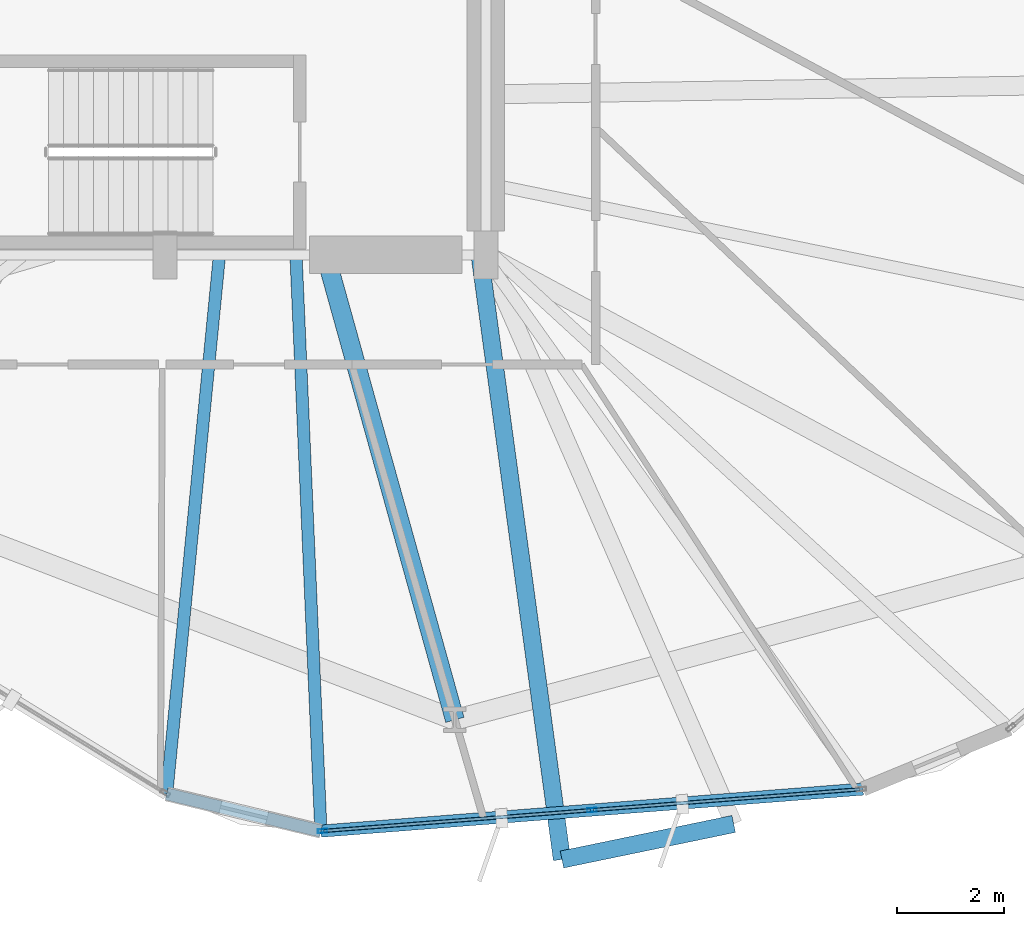
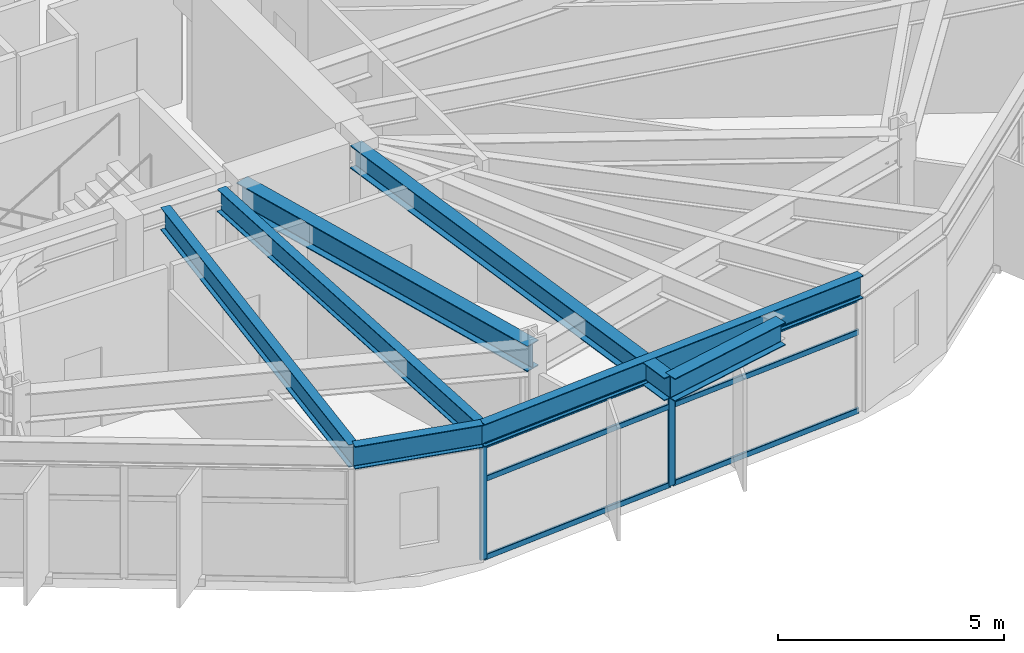
# One storey, part 4 of 22: 8 members, 7 beams, 1 element without a shape of its own.
"""IFC4 building model written with IfcOpenShell, lengths in metres."""

from ifc_helpers import new_model, si_unit, direction, frame, origin, origin_2d, place, context, subcontext, project, spatial, hollow_rectangle, i_section, extrude, material, layer, layer_set, material_profile, profile_set, type_object, element, aggregate, save


model = new_model("IFC4")

# Units and contexts
model_context = context("Model", 3, precision=1e-05, world=origin(), true_north=direction((0.0, 1.0)))
body_context = subcontext(model_context, "Body", "Model", "MODEL_VIEW")
ifc_project = project(units=[si_unit("LENGTHUNIT", "METRE"), si_unit("AREAUNIT", "SQUARE_METRE"), si_unit("VOLUMEUNIT", "CUBIC_METRE"), si_unit("PLANEANGLEUNIT", "RADIAN"), si_unit("MASSUNIT", "GRAM", prefix="KILO")], contexts=[model_context])

# Site, building, storey
site_placement = place(None, origin())
site = spatial("IfcSite", under=ifc_project, at=site_placement, CompositionType="ELEMENT")
building_placement = place(site_placement, origin())
building = spatial("IfcBuilding", under=site, at=building_placement, Name="Soratama Intermodal Tower", CompositionType="ELEMENT")
storey_placement = place(building_placement, frame((0.0, 0.0, 50.60009765625)))
storey = spatial("IfcBuildingStorey", under=building, at=storey_placement, Name="L11", CompositionType="ELEMENT", Elevation=50.60009765625)

# Beams
ifc_material_1 = material(Name="Structural steel ASTM A992 Grade 50", Category="steel")
ifc_material_profile_1 = material_profile(ifc_material_1, i_section(OverallWidth=0.324951171875, OverallDepth=0.615966796875, WebThickness=0.013916015625, FlangeThickness=0.021484375, FilletRadius=0.013916015625, at=origin_2d()), Name="W24X117")
ifc_profile_set_1 = profile_set([ifc_material_profile_1], Name="Structural steel ASTM A992 Grade 50")
beam_type_1 = type_object("IfcBeamType", Name="BM-CANT-W24X117", PredefinedType="BEAM", material=ifc_profile_set_1)
beam_1_placement = place(storey_placement, frame((46.02197265625, 3.695068359375, 3.391845703125), z_axis=(0.979217610027, 0.202812406456, 0.0), x_axis=(-0.202812406456, 0.979217610027, 0.0)))
element("IfcBeam", 1, at=beam_1_placement, inside=storey, type_object=beam_type_1, Name="BM-L11-CBHDR-3", PredefinedType="BEAM", context=body_context, shape_type="SweptSolid", body=[
    extrude(i_section(OverallWidth=0.324951171875, OverallDepth=0.615966796875, WebThickness=0.013916015625, FlangeThickness=0.021484375, FilletRadius=0.013916015625, at=origin_2d()), origin(), (0.0, 0.0, 1.0), 3.279052734375),
])
beam_2_placement = place(storey_placement, frame((44.489013671875, 14.9599609375, 3.391845703125), z_axis=(0.13484008234, -0.990867373665, 0.0), x_axis=(0.990867373665, 0.13484008234, 0.0)))
element("IfcBeam", 2, at=beam_2_placement, inside=storey, type_object=beam_type_1, Name="BM-L11-CANT-3-1", PredefinedType="BEAM", context=body_context, shape_type="SweptSolid", body=[
    extrude(i_section(OverallWidth=0.324951171875, OverallDepth=0.615966796875, WebThickness=0.013916015625, FlangeThickness=0.021484375, FilletRadius=0.013916015625, at=origin_2d()), origin(), (0.0, 0.0, 1.0), 11.36865234375),
])
ifc_material_2 = material(Name="Structural steel ASTM A992 Grade 50", Category="steel")
ifc_material_profile_2 = material_profile(ifc_material_2, i_section(OverallWidth=0.35498046875, OverallDepth=0.695068359375, WebThickness=0.015380859375, FlangeThickness=0.02490234375, FilletRadius=0.01611328125, at=origin_2d()), Name="W27X146")
ifc_profile_set_2 = profile_set([ifc_material_profile_2], Name="Structural steel ASTM A992 Grade 50")
beam_type_2 = type_object("IfcBeamType", Name="BM-RING-W27X146", PredefinedType="BEAM", material=ifc_profile_set_2)
beam_3_placement = place(storey_placement, frame((41.60009765625, 15.0, 3.352294921875), z_axis=(0.26814752121, -0.963377862974, 0.0), x_axis=(0.963377862974, 0.26814752121, 0.0)))
element("IfcBeam", 3, at=beam_3_placement, inside=storey, type_object=beam_type_2, Name="BM-L11-RAD-08", PredefinedType="BEAM", context=body_context, shape_type="SweptSolid", body=[
    extrude(i_section(OverallWidth=0.35498046875, OverallDepth=0.695068359375, WebThickness=0.015380859375, FlangeThickness=0.02490234375, FilletRadius=0.01611328125, at=origin_2d()), origin(), (0.0, 0.0, 1.0), 9.024658203125),
])
ifc_material_3 = material(Name="Structural steel ASTM A992 Grade 50", Category="steel")
ifc_material_profile_3 = material_profile(ifc_material_3, i_section(OverallWidth=0.22900390625, OverallDepth=0.612060546875, WebThickness=0.011962890625, FlangeThickness=0.01953125, FilletRadius=0.012939453125, at=origin_2d()), Name="W24X84")
ifc_profile_set_3 = profile_set([ifc_material_profile_3], Name="Structural steel ASTM A992 Grade 50")
beam_type_3 = type_object("IfcBeamType", Name="BM-SPN-W24X84", PredefinedType="SPANDREL", material=ifc_profile_set_3)
beam_4_placement = place(storey_placement, frame((38.631103515625, 4.9208984375, 3.393798828125), z_axis=(0.972104212083, -0.234549356962, 0.0), x_axis=(0.234549356962, 0.972104212083, 0.0)))
element("IfcBeam", 4, at=beam_4_placement, inside=storey, type_object=beam_type_3, Name="BS-L11-CRN07", PredefinedType="SPANDREL", context=body_context, shape_type="SweptSolid", body=[
    extrude(i_section(OverallWidth=0.22900390625, OverallDepth=0.612060546875, WebThickness=0.011962890625, FlangeThickness=0.01953125, FilletRadius=0.012939453125, at=origin_2d()), origin(), (0.0, 0.0, 1.0), 2.966552734375),
])
beam_5_placement = place(storey_placement, frame((41.514892578125, 4.22509765625, 3.393798828125), z_axis=(0.996999701749, 0.077405392015, 0.0), x_axis=(-0.077405392015, 0.996999701749, 0.0)))
element("IfcBeam", 5, at=beam_5_placement, inside=storey, type_object=beam_type_3, Name="BS-L11-F08", PredefinedType="SPANDREL", context=body_context, shape_type="SweptSolid", body=[
    extrude(i_section(OverallWidth=0.22900390625, OverallDepth=0.612060546875, WebThickness=0.011962890625, FlangeThickness=0.01953125, FilletRadius=0.012939453125, at=origin_2d()), origin(), (0.0, 0.0, 1.0), 10.16552734375),
])
ifc_material_4 = material(Name="Structural steel ASTM A992 Grade 50", Category="steel")
ifc_material_profile_4 = material_profile(ifc_material_4, i_section(OverallWidth=0.22900390625, OverallDepth=0.612060546875, WebThickness=0.011962890625, FlangeThickness=0.01953125, FilletRadius=0.012939453125, at=origin_2d()), Name="W24X84")
ifc_profile_set_4 = profile_set([ifc_material_profile_4], Name="Structural steel ASTM A992 Grade 50")
beam_type_4 = type_object("IfcBeamType", Name="BM-TIE-W24X84", PredefinedType="BEAM", material=ifc_profile_set_4)
beam_6_placement = place(storey_placement, frame((39.614990234375, 14.9599609375, 3.393798828125), z_axis=(-0.097538520288, -0.995231750428, 0.0), x_axis=(0.995231750428, -0.097538520288, 0.0)))
element("IfcBeam", 6, at=beam_6_placement, inside=storey, type_object=beam_type_4, Name="BM-L11-TIE1-07", PredefinedType="BEAM", context=body_context, shape_type="SweptSolid", body=[
    extrude(i_section(OverallWidth=0.22900390625, OverallDepth=0.612060546875, WebThickness=0.011962890625, FlangeThickness=0.01953125, FilletRadius=0.012939453125, at=origin_2d()), origin(), (0.0, 0.0, 1.0), 10.087158203125),
])
beam_7_placement = place(storey_placement, frame((41.051025390625, 14.9599609375, 3.393798828125), z_axis=(0.043170994456, -0.999067698025, 0.0), x_axis=(0.999067698025, 0.043170994456, 0.0)))
element("IfcBeam", 7, at=beam_7_placement, inside=storey, type_object=beam_type_4, Name="BM-L11-TIE0-08", PredefinedType="BEAM", context=body_context, shape_type="SweptSolid", body=[
    extrude(i_section(OverallWidth=0.22900390625, OverallDepth=0.612060546875, WebThickness=0.011962890625, FlangeThickness=0.01953125, FilletRadius=0.012939453125, at=origin_2d()), origin(), (0.0, 0.0, 1.0), 10.744873046875),
])

# Curtain wall, members
ifc_material_5 = material(Name="Double-glazed aluminium curtain wall", Category="aluminium")
ifc_layer = layer(ifc_material_5, 0.159912109375)
ifc_layer_set = layer_set([ifc_layer], Name="Double-glazed aluminium curtain wall")
curtain_wall_type = type_object("IfcCurtainWallType", Name="CW-SYS-2", PredefinedType="NOTDEFINED", material=ifc_layer_set)
curtain_wall_placement = place(storey_placement, origin())
curtain_wall = element("IfcCurtainWall", 8, at=curtain_wall_placement, inside=storey, type_object=curtain_wall_type, Name="L11 Faceted Curtain Wall F08", PredefinedType="NOTDEFINED")
ifc_material_6 = material(Name="Anodised aluminium AA 6063-T6", Category="aluminium")
ifc_material_profile_5 = material_profile(ifc_material_6, hollow_rectangle(XDim=0.074951171875, YDim=0.179931640625, WallThickness=0.006103515625, InnerFilletRadius=0.006103515625, OuterFilletRadius=0.011962890625, at=origin_2d()), Name="CWM180X75X6")
ifc_profile_set_5 = profile_set([ifc_material_profile_5], Name="Anodised aluminium AA 6063-T6")
member_type_1 = type_object("IfcMemberType", Name="MT-CWM-2", PredefinedType="MULLION", material=ifc_profile_set_5)
member_1_placement = place(storey_placement, frame((41.545166015625, 4.2275390625, 0.0), z_axis=(0.0, 0.0, 1.0), x_axis=(-0.077411143297, 0.996999255212, 0.0)))
member_1 = element("IfcMember", 9, at=member_1_placement, type_object=member_type_1, Name="CW-2 mullion 1", PredefinedType="MULLION", context=body_context, shape_type="SweptSolid", body=[
    extrude(hollow_rectangle(XDim=0.074951171875, YDim=0.179931640625, WallThickness=0.006103515625, InnerFilletRadius=0.006103515625, OuterFilletRadius=0.011962890625, at=origin_2d()), origin(), (0.0, 0.0, 1.0), 3.078857421875),
])
member_2_placement = place(storey_placement, frame((46.58251953125, 4.61865234375, 0.0), z_axis=(0.0, 0.0, 1.0), x_axis=(-0.077411143297, 0.996999255212, 0.0)))
member_2 = element("IfcMember", 10, at=member_2_placement, type_object=member_type_1, Name="CW-2 mullion 2", PredefinedType="MULLION", context=body_context, shape_type="SweptSolid", body=[
    extrude(hollow_rectangle(XDim=0.074951171875, YDim=0.179931640625, WallThickness=0.006103515625, InnerFilletRadius=0.006103515625, OuterFilletRadius=0.011962890625, at=origin_2d()), origin(), (0.0, 0.0, 1.0), 3.078857421875),
])
ifc_material_7 = material(Name="Anodised aluminium AA 6063-T6", Category="aluminium")
ifc_material_profile_6 = material_profile(ifc_material_7, hollow_rectangle(XDim=0.06494140625, YDim=0.14990234375, WallThickness=0.0048828125, InnerFilletRadius=0.0048828125, OuterFilletRadius=0.010009765625, at=origin_2d()), Name="CWT150X65X5")
ifc_profile_set_6 = profile_set([ifc_material_profile_6], Name="Anodised aluminium AA 6063-T6")
member_type_2 = type_object("IfcMemberType", Name="TT-CWT-1", PredefinedType="USERDEFINED", material=ifc_profile_set_6)
member_3_placement = place(storey_placement, frame((41.574951171875, 4.229736328125, 0.02978515625), z_axis=(0.996999580664, 0.077406951601, 0.0), x_axis=(-0.077406951601, 0.996999580664, 0.0)))
member_3 = element("IfcMember", 11, at=member_3_placement, type_object=member_type_2, Name="CW-2 transom 1.1", ObjectType="TRANSOM", PredefinedType="USERDEFINED", context=body_context, shape_type="SweptSolid", body=[
    extrude(hollow_rectangle(XDim=0.06494140625, YDim=0.14990234375, WallThickness=0.0048828125, InnerFilletRadius=0.0048828125, OuterFilletRadius=0.010009765625, at=origin_2d()), origin(), (0.0, 0.0, 1.0), 4.99267578125),
])
member_4_placement = place(storey_placement, frame((41.574951171875, 4.229736328125, 2.14990234375), z_axis=(0.996999580664, 0.077406951601, 0.0), x_axis=(-0.077406951601, 0.996999580664, 0.0)))
member_4 = element("IfcMember", 12, at=member_4_placement, type_object=member_type_2, Name="CW-2 transom 1.2", ObjectType="TRANSOM", PredefinedType="USERDEFINED", context=body_context, shape_type="SweptSolid", body=[
    extrude(hollow_rectangle(XDim=0.06494140625, YDim=0.14990234375, WallThickness=0.0048828125, InnerFilletRadius=0.0048828125, OuterFilletRadius=0.010009765625, at=origin_2d()), origin(), (0.0, 0.0, 1.0), 4.99267578125),
])
member_5_placement = place(storey_placement, frame((41.574951171875, 4.229736328125, 3.048828125), z_axis=(0.996999580664, 0.077406951601, 0.0), x_axis=(-0.077406951601, 0.996999580664, 0.0)))
member_5 = element("IfcMember", 13, at=member_5_placement, type_object=member_type_2, Name="CW-2 transom 1.3", ObjectType="TRANSOM", PredefinedType="USERDEFINED", context=body_context, shape_type="SweptSolid", body=[
    extrude(hollow_rectangle(XDim=0.06494140625, YDim=0.14990234375, WallThickness=0.0048828125, InnerFilletRadius=0.0048828125, OuterFilletRadius=0.010009765625, at=origin_2d()), origin(), (0.0, 0.0, 1.0), 4.99267578125),
])
member_6_placement = place(storey_placement, frame((46.612548828125, 4.62109375, 0.02978515625), z_axis=(0.996999287648, 0.077410725542, 0.0), x_axis=(-0.077410725542, 0.996999287648, 0.0)))
member_6 = element("IfcMember", 14, at=member_6_placement, type_object=member_type_2, Name="CW-2 transom 2.1", ObjectType="TRANSOM", PredefinedType="USERDEFINED", context=body_context, shape_type="SweptSolid", body=[
    extrude(hollow_rectangle(XDim=0.06494140625, YDim=0.14990234375, WallThickness=0.0048828125, InnerFilletRadius=0.0048828125, OuterFilletRadius=0.010009765625, at=origin_2d()), origin(), (0.0, 0.0, 1.0), 4.992431640625),
])
member_7_placement = place(storey_placement, frame((46.612548828125, 4.62109375, 2.14990234375), z_axis=(0.996999287648, 0.077410725542, 0.0), x_axis=(-0.077410725542, 0.996999287648, 0.0)))
member_7 = element("IfcMember", 15, at=member_7_placement, type_object=member_type_2, Name="CW-2 transom 2.2", ObjectType="TRANSOM", PredefinedType="USERDEFINED", context=body_context, shape_type="SweptSolid", body=[
    extrude(hollow_rectangle(XDim=0.06494140625, YDim=0.14990234375, WallThickness=0.0048828125, InnerFilletRadius=0.0048828125, OuterFilletRadius=0.010009765625, at=origin_2d()), origin(), (0.0, 0.0, 1.0), 4.992431640625),
])
member_8_placement = place(storey_placement, frame((46.612548828125, 4.62109375, 3.048828125), z_axis=(0.996999287648, 0.077410725542, 0.0), x_axis=(-0.077410725542, 0.996999287648, 0.0)))
member_8 = element("IfcMember", 16, at=member_8_placement, type_object=member_type_2, Name="CW-2 transom 2.3", ObjectType="TRANSOM", PredefinedType="USERDEFINED", context=body_context, shape_type="SweptSolid", body=[
    extrude(hollow_rectangle(XDim=0.06494140625, YDim=0.14990234375, WallThickness=0.0048828125, InnerFilletRadius=0.0048828125, OuterFilletRadius=0.010009765625, at=origin_2d()), origin(), (0.0, 0.0, 1.0), 4.992431640625),
])
aggregate(curtain_wall, [member_1, member_2, member_3, member_4, member_5, member_6, member_7, member_8])

save(model, "model.ifc")
